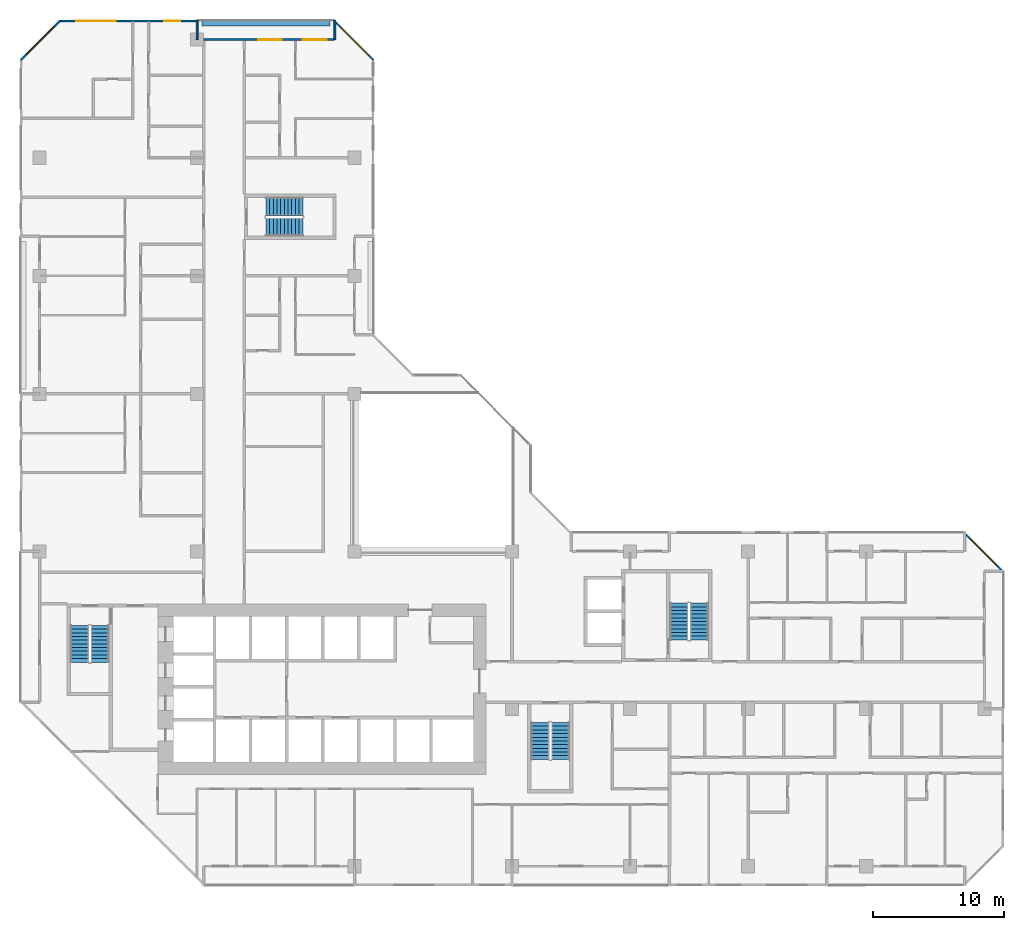
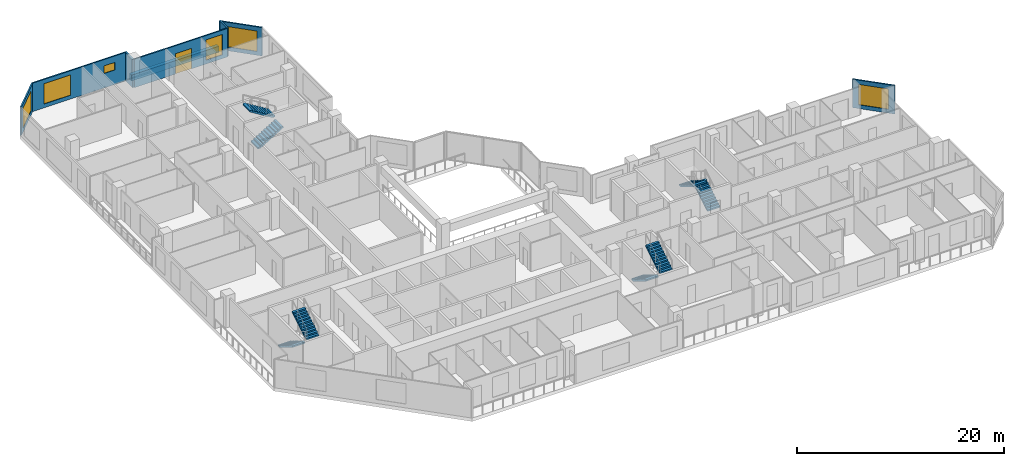
# One storey, part 13 of 15: 8 stair flights, 8 walls, 6 windows, 1 door, 7 openings, 4 elements without a shape of their own.
"""IFC4 building model written with IfcOpenShell, lengths in metres."""

from ifc_helpers import new_model, si_unit, direction, frame, frame_2d, origin, place, context, subcontext, project, spatial, polyline, rectangle, outline, extrude, material, layer, layer_set, type_object, element, fill, aggregate, save


model = new_model("IFC4")

# Units and contexts
model_context = context("Model", 3, precision=1e-05, world=origin(), true_north=direction((0.0, 1.0)))
body_context = subcontext(model_context, "Body", "Model", "MODEL_VIEW")
ifc_project = project(units=[si_unit("LENGTHUNIT", "METRE"), si_unit("AREAUNIT", "SQUARE_METRE"), si_unit("VOLUMEUNIT", "CUBIC_METRE"), si_unit("PLANEANGLEUNIT", "RADIAN"), si_unit("MASSUNIT", "GRAM", prefix="KILO")], contexts=[model_context])

# Site, building, storey
site_placement = place(None, origin())
site = spatial("IfcSite", under=ifc_project, at=site_placement, CompositionType="ELEMENT")
building_placement = place(site_placement, origin())
building = spatial("IfcBuilding", under=site, at=building_placement, Name="Chenar Terraces", CompositionType="ELEMENT")
storey_placement = place(building_placement, frame((0.0, 0.0, 118.14990234375)))
storey = spatial("IfcBuildingStorey", under=building, at=storey_placement, Name="L27", CompositionType="ELEMENT", Elevation=118.14990234375)

# Wall, openings, windows
ifc_material_1 = material(Name="Aluminium framed glazing", Category="aluminium")
ifc_layer_1 = layer(ifc_material_1, 0.14990234375)
ifc_layer_set_1 = layer_set([ifc_layer_1], Name="Aluminium framed glazing")
wall_type_1 = type_object("IfcWallType", Name="Glazed flush facade wall 150", PredefinedType="SOLIDWALL", material=ifc_layer_set_1)
wall_1_placement = place(storey_placement, frame((11.925048828125, 64.425048828125, 0.0), z_axis=(0.0, 0.0, 1.0), x_axis=(-1.0, 0.0, 0.0)))
wall_1 = element("IfcWall", 1, at=wall_1_placement, inside=storey, type_object=wall_type_1, Name="Glazed flush facade wall", PredefinedType="SOLIDWALL", context=body_context, shape_type="SweptSolid", body=[
    extrude(rectangle(XDim=10.425048828125, YDim=0.14990234375, at=frame_2d((5.21240234375, 0.0))), origin(), (0.0, 0.0, 1.0), 3.35009765625),
])
opening_1_placement = place(wall_1_placement, frame((1.21240234375, 0.0, 1.699951171875)))
opening_1 = element("IfcOpeningElement", 2, at=opening_1_placement, cuts=wall_1, Name="Opening W120x90", PredefinedType="OPENING", context=body_context, shape_type="SweptSolid", body=[
    extrude(rectangle(XDim=1.199951171875, YDim=0.89990234375, at=frame_2d((0.60009765625, 0.449951171875))), frame((0.0, 0.0849609375, 0.0), z_axis=(0.0, -1.0, 0.0), x_axis=(1.0, 0.0, 0.0)), (0.0, 0.0, 1.0), 0.169921875),
])
opening_2_placement = place(wall_1_placement, frame((6.125, 0.0, 0.449951171875)))
opening_2 = element("IfcOpeningElement", 3, at=opening_2_placement, cuts=wall_1, Name="Opening W300x240", PredefinedType="OPENING", context=body_context, shape_type="SweptSolid", body=[
    extrude(rectangle(XDim=3.0, YDim=2.39990234375, at=frame_2d((1.5, 1.199951171875))), frame((0.0, 0.0849609375, 0.0), z_axis=(0.0, -1.0, 0.0), x_axis=(1.0, 0.0, 0.0)), (0.0, 0.0, 1.0), 0.169921875),
])
ifc_material_2 = material(Name="Low emissivity double glazing, aluminium frame", Category="aluminium")
window_type_1 = type_object("IfcWindowType", Name="Fixed light 1200 x 900", PartitioningType="SINGLE_PANEL", PredefinedType="WINDOW", material=ifc_material_2)
window_1_placement = place(opening_1_placement, origin())
window_1 = element("IfcWindow", 4, at=window_1_placement, inside=storey, type_object=window_type_1, Name="Window", OverallHeight=0.89990234375, OverallWidth=1.199951171875, PartitioningType="SINGLE_PANEL", PredefinedType="WINDOW", context=body_context, shape_type="SweptSolid", body=[
    extrude(rectangle(XDim=1.199951171875, YDim=0.89990234375, at=frame_2d((0.60009765625, 0.449951171875))), frame((0.0, 0.030029296875, 0.0), z_axis=(0.0, -1.0, 0.0), x_axis=(1.0, 0.0, 0.0)), (0.0, 0.0, 1.0), 0.06005859375),
])
fill(opening_1, window_1)
ifc_material_3 = material(Name="Low emissivity double glazing, aluminium frame", Category="aluminium")
window_type_2 = type_object("IfcWindowType", Name="Fixed light 3000 x 2400", PartitioningType="SINGLE_PANEL", PredefinedType="WINDOW", material=ifc_material_3)
window_2_placement = place(opening_2_placement, origin())
window_2 = element("IfcWindow", 5, at=window_2_placement, inside=storey, type_object=window_type_2, Name="Window", OverallHeight=2.39990234375, OverallWidth=3.0, PartitioningType="SINGLE_PANEL", PredefinedType="WINDOW", context=body_context, shape_type="SweptSolid", body=[
    extrude(rectangle(XDim=3.0, YDim=2.39990234375, at=frame_2d((1.5, 1.199951171875))), frame((0.0, 0.030029296875, 0.0), z_axis=(0.0, -1.0, 0.0), x_axis=(1.0, 0.0, 0.0)), (0.0, 0.0, 1.0), 0.06005859375),
])
fill(opening_2, window_2)

# Wall, openings, window, door
ifc_material_4 = material(Name="Aluminium framed glazing", Category="aluminium")
ifc_layer_2 = layer(ifc_material_4, 0.14990234375)
ifc_layer_set_2 = layer_set([ifc_layer_2], Name="Aluminium framed glazing")
wall_type_2 = type_object("IfcWallType", Name="Glazed loggia back wall 150", PredefinedType="SOLIDWALL", material=ifc_layer_set_2)
wall_2_placement = place(storey_placement, frame((22.425048828125, 63.0, 0.0), z_axis=(0.0, 0.0, 1.0), x_axis=(-1.0, 0.0, 0.0)))
wall_2 = element("IfcWall", 6, at=wall_2_placement, inside=storey, type_object=wall_type_2, Name="Glazed loggia back wall", PredefinedType="SOLIDWALL", context=body_context, shape_type="SweptSolid", body=[
    extrude(rectangle(XDim=10.35009765625, YDim=0.14990234375, at=frame_2d((5.175048828125, 0.0))), origin(), (0.0, 0.0, 1.0), 3.35009765625),
])
opening_3_placement = place(wall_2_placement, frame((0.5625, 0.0, 0.449951171875)))
opening_3 = element("IfcOpeningElement", 7, at=opening_3_placement, cuts=wall_2, Name="Opening W180x240", PredefinedType="OPENING", context=body_context, shape_type="SweptSolid", body=[
    extrude(rectangle(XDim=1.800048828125, YDim=2.39990234375, at=frame_2d((0.89990234375, 1.199951171875))), frame((0.0, 0.0849609375, 0.0), z_axis=(0.0, -1.0, 0.0), x_axis=(1.0, 0.0, 0.0)), (0.0, 0.0, 1.0), 0.169921875),
])
opening_4_placement = place(wall_2_placement, frame((3.97509765625, 0.0, 0.0)))
opening_4 = element("IfcOpeningElement", 8, at=opening_4_placement, cuts=wall_2, Name="Opening DL27-G3", PredefinedType="OPENING", context=body_context, shape_type="SweptSolid", body=[
    extrude(rectangle(XDim=1.800048828125, YDim=2.39990234375, at=frame_2d((0.89990234375, 1.199951171875))), frame((0.0, 0.0849609375, 0.0), z_axis=(0.0, -1.0, 0.0), x_axis=(1.0, 0.0, 0.0)), (0.0, 0.0, 1.0), 0.169921875),
])
ifc_material_5 = material(Name="Low emissivity double glazing, aluminium frame", Category="aluminium")
window_type_3 = type_object("IfcWindowType", Name="Fixed light 1800 x 2400", PartitioningType="SINGLE_PANEL", PredefinedType="WINDOW", material=ifc_material_5)
window_3_placement = place(opening_3_placement, origin())
window_3 = element("IfcWindow", 9, at=window_3_placement, inside=storey, type_object=window_type_3, Name="Window", OverallHeight=2.39990234375, OverallWidth=1.800048828125, PartitioningType="SINGLE_PANEL", PredefinedType="WINDOW", context=body_context, shape_type="SweptSolid", body=[
    extrude(rectangle(XDim=1.800048828125, YDim=2.39990234375, at=frame_2d((0.89990234375, 1.199951171875))), frame((0.0, 0.030029296875, 0.0), z_axis=(0.0, -1.0, 0.0), x_axis=(1.0, 0.0, 0.0)), (0.0, 0.0, 1.0), 0.06005859375),
])
fill(opening_3, window_3)
ifc_material_6 = material(Name="Low emissivity double glazing, aluminium frame", Category="aluminium")
door_type = type_object("IfcDoorType", Name="Loggia glazed double door 1800 x 2400", OperationType="DOUBLE_DOOR_SINGLE_SWING", PredefinedType="DOOR", material=ifc_material_6)
door_placement = place(opening_4_placement, frame((1.800048828125, 0.0, 0.0), z_axis=(0.0, 0.0, 1.0), x_axis=(-1.0, 0.0, 0.0)))
door = element("IfcDoor", 10, at=door_placement, inside=storey, type_object=door_type, Name="Loggia glazed door", OperationType="DOUBLE_DOOR_SINGLE_SWING", OverallHeight=2.39990234375, OverallWidth=1.800048828125, PredefinedType="DOOR", context=body_context, shape_type="SweptSolid", body=[
    extrude(rectangle(XDim=1.800048828125, YDim=2.39990234375, at=frame_2d((0.89990234375, 1.199951171875))), frame((0.0, 0.02490234375, 0.0), z_axis=(0.0, -1.0, 0.0), x_axis=(1.0, 0.0, 0.0)), (0.0, 0.0, 1.0), 0.050048828125),
])
fill(opening_4, door)

# Walls
ifc_material_7 = material(Name="Terracotta cladding on insulated backing", Category="masonry")
ifc_layer_3 = layer(ifc_material_7, 0.14990234375)
ifc_layer_set_3 = layer_set([ifc_layer_3], Name="Terracotta cladding on insulated backing")
wall_type_3 = type_object("IfcWallType", Name="Loggia return wall 150", PredefinedType="SOLIDWALL", material=ifc_layer_set_3)
for number, where, z_axis, x_axis, name in (
    (11, (22.5, 64.5, 0.0), (0.0, 0.0, 1.0), (0.0, -1.0, 0.0), "Loggia return wall"),
    (12, (12.0, 64.5, 0.0), (0.0, 0.0, 1.0), (0.0, -1.0, 0.0), "Loggia return wall"),
):
    element("IfcWall", number, at=place(storey_placement, frame(where, z_axis=z_axis, x_axis=x_axis)), inside=storey, type_object=wall_type_3, Name=name, PredefinedType="SOLIDWALL", context=body_context, shape_type="SweptSolid", body=[
        extrude(rectangle(XDim=1.5, YDim=0.14990234375, at=frame_2d((0.75, 0.0))), origin(), (0.0, 0.0, 1.0), 3.35009765625),
    ])

# Wall, opening, window
ifc_material_8 = material(Name="Terracotta cladding on insulated backing", Category="masonry")
ifc_layer_4 = layer(ifc_material_8, 0.14990234375)
ifc_layer_set_4 = layer_set([ifc_layer_4], Name="Terracotta cladding on insulated backing")
wall_type_4 = type_object("IfcWallType", Name="Terracotta rainscreen wall 150", PredefinedType="SOLIDWALL", material=ifc_layer_set_4)
wall_3_placement = place(storey_placement, frame((25.447021484375, 61.447021484375, 0.0), z_axis=(0.0, 0.0, 1.0), x_axis=(-0.707106781187, 0.707106781187, 0.0)))
wall_3 = element("IfcWall", 13, at=wall_3_placement, inside=storey, type_object=wall_type_4, Name="Terracotta rainscreen wall", PredefinedType="SOLIDWALL", context=body_context, shape_type="SweptSolid", body=[
    extrude(rectangle(XDim=4.24267578125, YDim=0.14990234375, at=frame_2d((2.121337890625, 0.0))), origin(), (0.0, 0.0, 1.0), 3.35009765625),
])
opening_5_placement = place(wall_3_placement, frame((0.498046875, 0.0, 0.449951171875)))
opening_5 = element("IfcOpeningElement", 14, at=opening_5_placement, cuts=wall_3, Name="Opening W300x240", PredefinedType="OPENING", context=body_context, shape_type="SweptSolid", body=[
    extrude(rectangle(XDim=3.0, YDim=2.39990234375, at=frame_2d((1.5, 1.199951171875))), frame((0.0, 0.0849609375, 0.0), z_axis=(0.0, -1.0, 0.0), x_axis=(1.0, 0.0, 0.0)), (0.0, 0.0, 1.0), 0.169921875),
])
window_4_placement = place(opening_5_placement, origin())
window_4 = element("IfcWindow", 15, at=window_4_placement, inside=storey, type_object=window_type_2, Name="Window", OverallHeight=2.39990234375, OverallWidth=3.0, PartitioningType="SINGLE_PANEL", PredefinedType="WINDOW", context=body_context, shape_type="SweptSolid", body=[
    extrude(rectangle(XDim=3.0, YDim=2.39990234375, at=frame_2d((1.5, 1.199951171875))), frame((0.0, 0.030029296875, 0.0), z_axis=(0.0, -1.0, 0.0), x_axis=(1.0, 0.0, 0.0)), (0.0, 0.0, 1.0), 0.06005859375),
])
fill(opening_5, window_4)

wall_4_placement = place(storey_placement, frame((1.552978515625, 64.447021484375, 0.0), z_axis=(0.0, 0.0, 1.0), x_axis=(-0.707106781187, -0.707106781187, 0.0)))
wall_4 = element("IfcWall", 16, at=wall_4_placement, inside=storey, type_object=wall_type_4, Name="Terracotta rainscreen wall", PredefinedType="SOLIDWALL", context=body_context, shape_type="SweptSolid", body=[
    extrude(rectangle(XDim=4.24267578125, YDim=0.14990234375, at=frame_2d((2.121337890625, 0.0))), origin(), (0.0, 0.0, 1.0), 3.35009765625),
])
opening_6_placement = place(wall_4_placement, frame((0.621337890625, 0.0, 0.449951171875)))
opening_6 = element("IfcOpeningElement", 17, at=opening_6_placement, cuts=wall_4, Name="Opening W300x240", PredefinedType="OPENING", context=body_context, shape_type="SweptSolid", body=[
    extrude(rectangle(XDim=3.0, YDim=2.39990234375, at=frame_2d((1.5, 1.199951171875))), frame((0.0, 0.0849609375, 0.0), z_axis=(0.0, -1.0, 0.0), x_axis=(1.0, 0.0, 0.0)), (0.0, 0.0, 1.0), 0.169921875),
])
window_5_placement = place(opening_6_placement, origin())
window_5 = element("IfcWindow", 18, at=window_5_placement, inside=storey, type_object=window_type_2, Name="Window", OverallHeight=2.39990234375, OverallWidth=3.0, PartitioningType="SINGLE_PANEL", PredefinedType="WINDOW", context=body_context, shape_type="SweptSolid", body=[
    extrude(rectangle(XDim=3.0, YDim=2.39990234375, at=frame_2d((1.5, 1.199951171875))), frame((0.0, 0.030029296875, 0.0), z_axis=(0.0, -1.0, 0.0), x_axis=(1.0, 0.0, 0.0)), (0.0, 0.0, 1.0), 0.06005859375),
])
fill(opening_6, window_5)

wall_5_placement = place(storey_placement, frame((73.447021484375, 22.447021484375, 0.0), z_axis=(0.0, 0.0, 1.0), x_axis=(-0.707106781187, 0.707106781187, 0.0)))
wall_5 = element("IfcWall", 19, at=wall_5_placement, inside=storey, type_object=wall_type_4, Name="Terracotta rainscreen wall", PredefinedType="SOLIDWALL", context=body_context, shape_type="SweptSolid", body=[
    extrude(rectangle(XDim=4.24267578125, YDim=0.14990234375, at=frame_2d((2.121337890625, 0.0))), origin(), (0.0, 0.0, 1.0), 3.35009765625),
])
opening_7_placement = place(wall_5_placement, frame((0.621337890625, 0.0, 0.449951171875)))
opening_7 = element("IfcOpeningElement", 20, at=opening_7_placement, cuts=wall_5, Name="Opening W300x240", PredefinedType="OPENING", context=body_context, shape_type="SweptSolid", body=[
    extrude(rectangle(XDim=3.0, YDim=2.39990234375, at=frame_2d((1.5, 1.199951171875))), frame((0.0, 0.0849609375, 0.0), z_axis=(0.0, -1.0, 0.0), x_axis=(1.0, 0.0, 0.0)), (0.0, 0.0, 1.0), 0.169921875),
])
window_6_placement = place(opening_7_placement, origin())
window_6 = element("IfcWindow", 21, at=window_6_placement, inside=storey, type_object=window_type_2, Name="Window", OverallHeight=2.39990234375, OverallWidth=3.0, PartitioningType="SINGLE_PANEL", PredefinedType="WINDOW", context=body_context, shape_type="SweptSolid", body=[
    extrude(rectangle(XDim=3.0, YDim=2.39990234375, at=frame_2d((1.5, 1.199951171875))), frame((0.0, 0.030029296875, 0.0), z_axis=(0.0, -1.0, 0.0), x_axis=(1.0, 0.0, 0.0)), (0.0, 0.0, 1.0), 0.06005859375),
])
fill(opening_7, window_6)

# Wall
ifc_material_9 = material(Name="GRP planter trough")
ifc_layer_5 = layer(ifc_material_9, 0.39990234375)
ifc_layer_set_5 = layer_set([ifc_layer_5], Name="GRP planter trough")
wall_type_5 = type_object("IfcWallType", Name="Vertical greenery planter 400", PredefinedType="SOLIDWALL", material=ifc_layer_set_5)
wall_6_placement = place(storey_placement, frame((22.125, 64.22900390625, 0.0), z_axis=(0.0, 0.0, 1.0), x_axis=(-1.0, 0.0, 0.0)))
element("IfcWall", 22, at=wall_6_placement, inside=storey, type_object=wall_type_5, Name="Vertical greenery planter", PredefinedType="SOLIDWALL", context=body_context, shape_type="SweptSolid", body=[
    extrude(rectangle(XDim=9.75, YDim=0.39990234375, at=frame_2d((4.875, 0.0))), origin(), (0.0, 0.0, 1.0), 0.7001953125),
])

# Stair, stair flights
ifc_material_10 = material(Name="Reinforced concrete C40/50", Category="concrete")
stair_type = type_object("IfcStairType", Name="Core stair 1400 half-turn", PredefinedType="HALF_TURN_STAIR", material=ifc_material_10)
placement = place(storey_placement, origin())
stair_1 = element("IfcStair", 23, at=placement, inside=storey, type_object=stair_type, Name="L27 Stair 1", PredefinedType="HALF_TURN_STAIR")
ifc_material_11 = material(Name="Reinforced concrete C40/50", Category="concrete")
stair_flight_type = type_object("IfcStairFlightType", Name="Core stair flight 1400", PredefinedType="STRAIGHT", material=ifc_material_11)
stair_flight_1_placement = place(storey_placement, frame((3.050048828125, 18.35009765625, 0.0), z_axis=(0.0, 0.0, 1.0), x_axis=(0.0, -1.0, 0.0)))
stair_flight_1 = element("IfcStairFlight", 24, at=stair_flight_1_placement, type_object=stair_flight_type, Name="ST1 flight 1", NumberOfRisers=11, NumberOfTreads=10, PredefinedType="STRAIGHT", RiserHeight=0.170454545, TreadLength=0.28, context=body_context, shape_type="SweptSolid", body=[
    extrude(outline(polyline([(-0.0029296875, 0.0), (-0.0029296875, 0.17041015625), (0.0, 0.17041015625), (0.280029296875, 0.17041015625), (0.280029296875, 0.3408203125), (0.56005859375, 0.3408203125), (0.56005859375, 0.511474609375), (0.840087890625, 0.511474609375), (0.840087890625, 0.681884765625), (1.1201171875, 0.681884765625), (1.1201171875, 0.852294921875), (1.39990234375, 0.852294921875), (1.39990234375, 1.022705078125), (1.679931640625, 1.022705078125), (1.679931640625, 1.193115234375), (1.9599609375, 1.193115234375), (1.9599609375, 1.363525390625), (2.239990234375, 1.363525390625), (2.239990234375, 1.5341796875), (2.52001953125, 1.5341796875), (2.52001953125, 1.70458984375), (2.800048828125, 1.70458984375), (2.802978515625, 1.70458984375), (2.802978515625, 1.529052734375), (2.800048828125, 1.529052734375), (0.288330078125, 0.0), (-0.0029296875, 0.0)])), frame((0.0, 0.699951171875, 0.0), z_axis=(0.0, -1.0, 0.0), x_axis=(1.0, 0.0, 0.0)), (0.0, 0.0, 1.0), 1.39990234375),
])
stair_flight_2_placement = place(storey_placement, frame((4.60009765625, 15.550048828125, 1.875), z_axis=(0.0, 0.0, 1.0), x_axis=(0.0, 1.0, 0.0)))
stair_flight_2 = element("IfcStairFlight", 25, at=stair_flight_2_placement, type_object=stair_flight_type, Name="ST1 flight 2", NumberOfRisers=11, NumberOfTreads=10, PredefinedType="STRAIGHT", RiserHeight=0.170454545, TreadLength=0.28, context=body_context, shape_type="SweptSolid", body=[
    extrude(outline(polyline([(-0.0029296875, 0.0), (-0.0029296875, 0.17041015625), (0.0, 0.17041015625), (0.280029296875, 0.17041015625), (0.280029296875, 0.3408203125), (0.56005859375, 0.3408203125), (0.56005859375, 0.511474609375), (0.840087890625, 0.511474609375), (0.840087890625, 0.681884765625), (1.1201171875, 0.681884765625), (1.1201171875, 0.852294921875), (1.39990234375, 0.852294921875), (1.39990234375, 1.022705078125), (1.679931640625, 1.022705078125), (1.679931640625, 1.193115234375), (1.9599609375, 1.193115234375), (1.9599609375, 1.363525390625), (2.239990234375, 1.363525390625), (2.239990234375, 1.5341796875), (2.52001953125, 1.5341796875), (2.52001953125, 1.70458984375), (2.800048828125, 1.70458984375), (2.802978515625, 1.70458984375), (2.802978515625, 1.529052734375), (2.800048828125, 1.529052734375), (0.288330078125, 0.0), (-0.0029296875, 0.0)])), frame((0.0, 0.699951171875, 0.0), z_axis=(0.0, -1.0, 0.0), x_axis=(1.0, 0.0, 0.0)), (0.0, 0.0, 1.0), 1.39990234375),
])
aggregate(stair_1, [stair_flight_1, stair_flight_2])

stair_2 = element("IfcStair", 26, at=placement, inside=storey, type_object=stair_type, Name="L27 Stair 2", PredefinedType="HALF_TURN_STAIR")
stair_flight_3_placement = place(storey_placement, frame((38.14990234375, 10.949951171875, 0.0), z_axis=(0.0, 0.0, 1.0), x_axis=(0.0, -1.0, 0.0)))
stair_flight_3 = element("IfcStairFlight", 27, at=stair_flight_3_placement, type_object=stair_flight_type, Name="ST2 flight 1", NumberOfRisers=11, NumberOfTreads=10, PredefinedType="STRAIGHT", RiserHeight=0.170454545, TreadLength=0.28, context=body_context, shape_type="SweptSolid", body=[
    extrude(outline(polyline([(-0.0029296875, 0.0), (-0.0029296875, 0.17041015625), (0.0, 0.17041015625), (0.280029296875, 0.17041015625), (0.280029296875, 0.3408203125), (0.56005859375, 0.3408203125), (0.56005859375, 0.511474609375), (0.840087890625, 0.511474609375), (0.840087890625, 0.681884765625), (1.1201171875, 0.681884765625), (1.1201171875, 0.852294921875), (1.39990234375, 0.852294921875), (1.39990234375, 1.022705078125), (1.679931640625, 1.022705078125), (1.679931640625, 1.193115234375), (1.9599609375, 1.193115234375), (1.9599609375, 1.363525390625), (2.239990234375, 1.363525390625), (2.239990234375, 1.5341796875), (2.52001953125, 1.5341796875), (2.52001953125, 1.70458984375), (2.800048828125, 1.70458984375), (2.802978515625, 1.70458984375), (2.802978515625, 1.529052734375), (2.800048828125, 1.529052734375), (0.288330078125, 0.0), (-0.0029296875, 0.0)])), frame((0.0, 0.699951171875, 0.0), z_axis=(0.0, -1.0, 0.0), x_axis=(1.0, 0.0, 0.0)), (0.0, 0.0, 1.0), 1.39990234375),
])
stair_flight_4_placement = place(storey_placement, frame((39.699951171875, 8.14990234375, 1.875), z_axis=(0.0, 0.0, 1.0), x_axis=(0.0, 1.0, 0.0)))
stair_flight_4 = element("IfcStairFlight", 28, at=stair_flight_4_placement, type_object=stair_flight_type, Name="ST2 flight 2", NumberOfRisers=11, NumberOfTreads=10, PredefinedType="STRAIGHT", RiserHeight=0.170454545, TreadLength=0.28, context=body_context, shape_type="SweptSolid", body=[
    extrude(outline(polyline([(-0.0029296875, 0.0), (-0.0029296875, 0.17041015625), (0.0, 0.17041015625), (0.280029296875, 0.17041015625), (0.280029296875, 0.3408203125), (0.56005859375, 0.3408203125), (0.56005859375, 0.511474609375), (0.840087890625, 0.511474609375), (0.840087890625, 0.681884765625), (1.1201171875, 0.681884765625), (1.1201171875, 0.852294921875), (1.39990234375, 0.852294921875), (1.39990234375, 1.022705078125), (1.679931640625, 1.022705078125), (1.679931640625, 1.193115234375), (1.9599609375, 1.193115234375), (1.9599609375, 1.363525390625), (2.239990234375, 1.363525390625), (2.239990234375, 1.5341796875), (2.52001953125, 1.5341796875), (2.52001953125, 1.70458984375), (2.800048828125, 1.70458984375), (2.802978515625, 1.70458984375), (2.802978515625, 1.529052734375), (2.800048828125, 1.529052734375), (0.288330078125, 0.0), (-0.0029296875, 0.0)])), frame((0.0, 0.699951171875, 0.0), z_axis=(0.0, -1.0, 0.0), x_axis=(1.0, 0.0, 0.0)), (0.0, 0.0, 1.0), 1.39990234375),
])
aggregate(stair_2, [stair_flight_3, stair_flight_4])

stair_3 = element("IfcStair", 29, at=placement, inside=storey, type_object=stair_type, Name="L27 Stair 3", PredefinedType="HALF_TURN_STAIR")
stair_flight_5_placement = place(storey_placement, frame((50.27490234375, 17.25, 0.0), z_axis=(0.0, 0.0, 1.0), x_axis=(0.0, 1.0, 0.0)))
stair_flight_5 = element("IfcStairFlight", 30, at=stair_flight_5_placement, type_object=stair_flight_type, Name="ST3 flight 1", NumberOfRisers=11, NumberOfTreads=10, PredefinedType="STRAIGHT", RiserHeight=0.170454545, TreadLength=0.28, context=body_context, shape_type="SweptSolid", body=[
    extrude(outline(polyline([(-0.0029296875, 0.0), (-0.0029296875, 0.17041015625), (0.0, 0.17041015625), (0.280029296875, 0.17041015625), (0.280029296875, 0.3408203125), (0.56005859375, 0.3408203125), (0.56005859375, 0.511474609375), (0.840087890625, 0.511474609375), (0.840087890625, 0.681884765625), (1.1201171875, 0.681884765625), (1.1201171875, 0.852294921875), (1.39990234375, 0.852294921875), (1.39990234375, 1.022705078125), (1.679931640625, 1.022705078125), (1.679931640625, 1.193115234375), (1.9599609375, 1.193115234375), (1.9599609375, 1.363525390625), (2.239990234375, 1.363525390625), (2.239990234375, 1.5341796875), (2.52001953125, 1.5341796875), (2.52001953125, 1.70458984375), (2.800048828125, 1.70458984375), (2.802978515625, 1.70458984375), (2.802978515625, 1.529052734375), (2.800048828125, 1.529052734375), (0.288330078125, 0.0), (-0.0029296875, 0.0)])), frame((0.0, 0.699951171875, 0.0), z_axis=(0.0, -1.0, 0.0), x_axis=(1.0, 0.0, 0.0)), (0.0, 0.0, 1.0), 1.39990234375),
])
stair_flight_6_placement = place(storey_placement, frame((48.72509765625, 20.050048828125, 1.875), z_axis=(0.0, 0.0, 1.0), x_axis=(0.0, -1.0, 0.0)))
stair_flight_6 = element("IfcStairFlight", 31, at=stair_flight_6_placement, type_object=stair_flight_type, Name="ST3 flight 2", NumberOfRisers=11, NumberOfTreads=10, PredefinedType="STRAIGHT", RiserHeight=0.170454545, TreadLength=0.28, context=body_context, shape_type="SweptSolid", body=[
    extrude(outline(polyline([(-0.0029296875, 0.0), (-0.0029296875, 0.17041015625), (0.0, 0.17041015625), (0.280029296875, 0.17041015625), (0.280029296875, 0.3408203125), (0.56005859375, 0.3408203125), (0.56005859375, 0.511474609375), (0.840087890625, 0.511474609375), (0.840087890625, 0.681884765625), (1.1201171875, 0.681884765625), (1.1201171875, 0.852294921875), (1.39990234375, 0.852294921875), (1.39990234375, 1.022705078125), (1.679931640625, 1.022705078125), (1.679931640625, 1.193115234375), (1.9599609375, 1.193115234375), (1.9599609375, 1.363525390625), (2.239990234375, 1.363525390625), (2.239990234375, 1.5341796875), (2.52001953125, 1.5341796875), (2.52001953125, 1.70458984375), (2.800048828125, 1.70458984375), (2.802978515625, 1.70458984375), (2.802978515625, 1.529052734375), (2.800048828125, 1.529052734375), (0.288330078125, 0.0), (-0.0029296875, 0.0)])), frame((0.0, 0.699951171875, 0.0), z_axis=(0.0, -1.0, 0.0), x_axis=(1.0, 0.0, 0.0)), (0.0, 0.0, 1.0), 1.39990234375),
])
aggregate(stair_3, [stair_flight_5, stair_flight_6])

stair_4 = element("IfcStair", 32, at=placement, inside=storey, type_object=stair_type, Name="L27 Stair 4", PredefinedType="HALF_TURN_STAIR")
stair_flight_7_placement = place(storey_placement, frame((17.25, 48.72509765625, 0.0), z_axis=(0.0, 0.0, 1.0), x_axis=(1.0, 0.0, 0.0)))
stair_flight_7 = element("IfcStairFlight", 33, at=stair_flight_7_placement, type_object=stair_flight_type, Name="ST4 flight 1", NumberOfRisers=11, NumberOfTreads=10, PredefinedType="STRAIGHT", RiserHeight=0.170454545, TreadLength=0.28, context=body_context, shape_type="SweptSolid", body=[
    extrude(outline(polyline([(-0.0029296875, 0.0), (-0.0029296875, 0.17041015625), (0.0, 0.17041015625), (0.280029296875, 0.17041015625), (0.280029296875, 0.3408203125), (0.56005859375, 0.3408203125), (0.56005859375, 0.511474609375), (0.840087890625, 0.511474609375), (0.840087890625, 0.681884765625), (1.1201171875, 0.681884765625), (1.1201171875, 0.852294921875), (1.39990234375, 0.852294921875), (1.39990234375, 1.022705078125), (1.679931640625, 1.022705078125), (1.679931640625, 1.193115234375), (1.9599609375, 1.193115234375), (1.9599609375, 1.363525390625), (2.239990234375, 1.363525390625), (2.239990234375, 1.5341796875), (2.52001953125, 1.5341796875), (2.52001953125, 1.70458984375), (2.800048828125, 1.70458984375), (2.802978515625, 1.70458984375), (2.802978515625, 1.529052734375), (2.800048828125, 1.529052734375), (0.288330078125, 0.0), (-0.0029296875, 0.0)])), frame((0.0, 0.699951171875, 0.0), z_axis=(0.0, -1.0, 0.0), x_axis=(1.0, 0.0, 0.0)), (0.0, 0.0, 1.0), 1.39990234375),
])
stair_flight_8_placement = place(storey_placement, frame((20.050048828125, 50.27490234375, 1.875), z_axis=(0.0, 0.0, 1.0), x_axis=(-1.0, 0.0, 0.0)))
stair_flight_8 = element("IfcStairFlight", 34, at=stair_flight_8_placement, type_object=stair_flight_type, Name="ST4 flight 2", NumberOfRisers=11, NumberOfTreads=10, PredefinedType="STRAIGHT", RiserHeight=0.170454545, TreadLength=0.28, context=body_context, shape_type="SweptSolid", body=[
    extrude(outline(polyline([(-0.0029296875, 0.0), (-0.0029296875, 0.17041015625), (0.0, 0.17041015625), (0.280029296875, 0.17041015625), (0.280029296875, 0.3408203125), (0.56005859375, 0.3408203125), (0.56005859375, 0.511474609375), (0.840087890625, 0.511474609375), (0.840087890625, 0.681884765625), (1.1201171875, 0.681884765625), (1.1201171875, 0.852294921875), (1.39990234375, 0.852294921875), (1.39990234375, 1.022705078125), (1.679931640625, 1.022705078125), (1.679931640625, 1.193115234375), (1.9599609375, 1.193115234375), (1.9599609375, 1.363525390625), (2.239990234375, 1.363525390625), (2.239990234375, 1.5341796875), (2.52001953125, 1.5341796875), (2.52001953125, 1.70458984375), (2.800048828125, 1.70458984375), (2.802978515625, 1.70458984375), (2.802978515625, 1.529052734375), (2.800048828125, 1.529052734375), (0.288330078125, 0.0), (-0.0029296875, 0.0)])), frame((0.0, 0.699951171875, 0.0), z_axis=(0.0, -1.0, 0.0), x_axis=(1.0, 0.0, 0.0)), (0.0, 0.0, 1.0), 1.39990234375),
])
aggregate(stair_4, [stair_flight_7, stair_flight_8])

save(model, "model.ifc")
